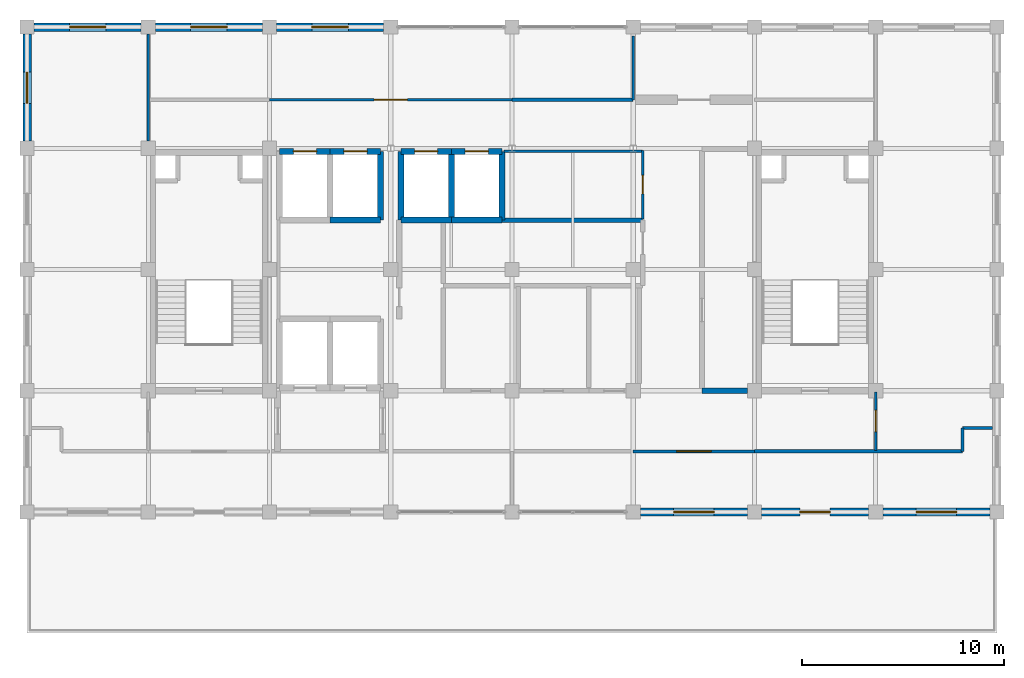
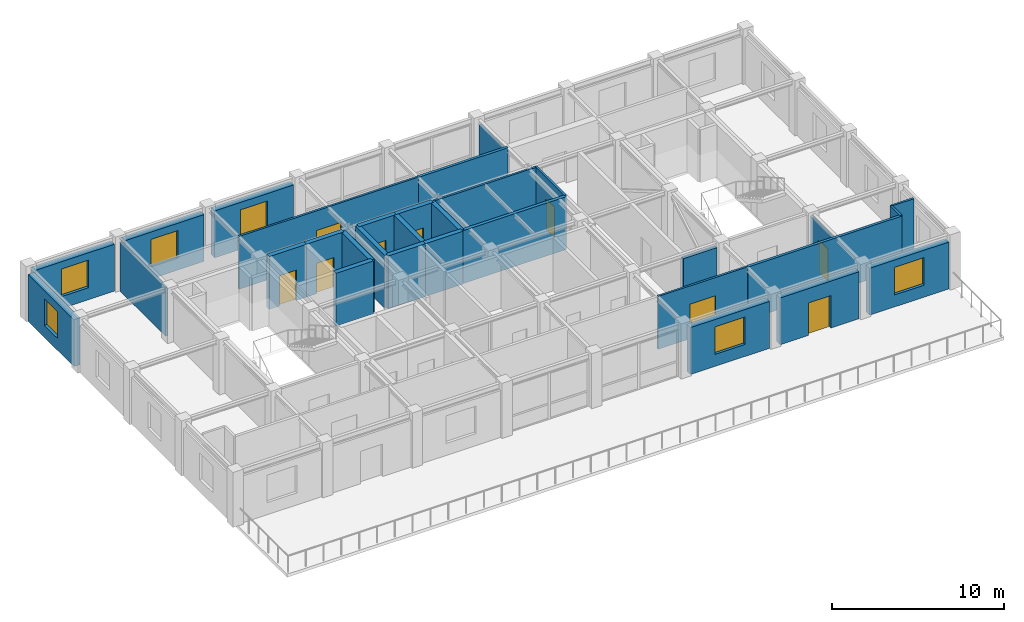
# One storey, part 9 of 11: 31 walls, 9 doors, 6 windows, 15 openings.
"""IFC4 building model written with IfcOpenShell, lengths in metres."""

from ifc_helpers import new_model, si_unit, direction, frame, frame_2d, origin, place, context, subcontext, project, spatial, rectangle, extrude, material, layer, layer_set, type_object, element, fill, save


model = new_model("IFC4")

# Units and contexts
model_context = context("Model", 3, precision=1e-05, world=origin(), true_north=direction((0.0, 1.0)))
body_context = subcontext(model_context, "Body", "Model", "MODEL_VIEW")
ifc_project = project(units=[si_unit("LENGTHUNIT", "METRE"), si_unit("AREAUNIT", "SQUARE_METRE"), si_unit("VOLUMEUNIT", "CUBIC_METRE"), si_unit("PLANEANGLEUNIT", "RADIAN"), si_unit("MASSUNIT", "GRAM", prefix="KILO")], contexts=[model_context])

# Site, building, storey
site_placement = place(None, origin())
site = spatial("IfcSite", under=ifc_project, at=site_placement, CompositionType="ELEMENT")
building_placement = place(site_placement, origin())
building = spatial("IfcBuilding", under=site, at=building_placement, Name="Zlatovratsky Civic Hall", CompositionType="ELEMENT")
storey_placement = place(building_placement, frame((0.0, 0.0, 52.199951171875)))
storey = spatial("IfcBuildingStorey", under=building, at=storey_placement, Name="L13", CompositionType="ELEMENT", Elevation=52.199951171875)

# Walls
ifc_material_1 = material(Name="Acoustic ceramic blockwork", Category="masonry")
ifc_layer_1 = layer(ifc_material_1, 0.179931640625)
ifc_layer_set_1 = layer_set([ifc_layer_1], Name="Acoustic ceramic blockwork")
wall_type_1 = type_object("IfcWallType", Name="Wall_AcousticChamberPartition_180", PredefinedType="PARTITIONING", material=ifc_layer_set_1)
wall_1_placement = place(storey_placement, frame((96.0, 81.0, 0.0), z_axis=(0.0, 0.0, 1.0), x_axis=(1.0, 0.0, 0.0)))
element("IfcWall", 1, at=wall_1_placement, inside=storey, type_object=wall_type_1, Name="WL-6636", PredefinedType="PARTITIONING", context=body_context, shape_type="SweptSolid", body=[
    extrude(rectangle(XDim=10.300048828125, YDim=0.179931640625, at=frame_2d((5.14990234375, 0.0))), origin(), (0.0, 0.0, 1.0), 3.739990234375),
])
wall_2_placement = place(storey_placement, frame((84.0, 98.39990234375, 0.0), z_axis=(0.0, 0.0, 1.0), x_axis=(1.0, 0.0, 0.0)))
element("IfcWall", 2, at=wall_2_placement, inside=storey, type_object=wall_type_1, Name="WL-6642", PredefinedType="PARTITIONING", context=body_context, shape_type="SweptSolid", body=[
    extrude(rectangle(XDim=6.0, YDim=0.179931640625, at=frame_2d((3.0, 0.0))), origin(), (0.0, 0.0, 1.0), 3.739990234375),
])
ifc_layer_2 = layer(ifc_material_1, 0.260009765625)
ifc_layer_set_2 = layer_set([ifc_layer_2], Name="Acoustic ceramic blockwork")
wall_type_2 = type_object("IfcWallType", Name="Wall_ArchiveCompartment_260", PredefinedType="PARTITIONING", material=ifc_layer_set_2)
wall_3_placement = place(storey_placement, frame((93.39990234375, 84.0, 0.0), z_axis=(0.0, 0.0, 1.0), x_axis=(1.0, 0.0, 0.0)))
element("IfcWall", 3, at=wall_3_placement, inside=storey, type_object=wall_type_2, Name="WL-6607", PredefinedType="PARTITIONING", context=body_context, shape_type="SweptSolid", body=[
    extrude(rectangle(XDim=2.25, YDim=0.260009765625, at=frame_2d((1.125, 0.0))), origin(), (0.0, 0.0, 1.0), 3.448974609375),
])

# Wall, opening, door
ifc_material_2 = material(Name="Fire-rated gypsum board framing", Category="gypsum")
ifc_layer_3 = layer(ifc_material_2, 0.139892578125)
ifc_layer_set_3 = layer_set([ifc_layer_3], Name="Fire-rated gypsum board framing")
wall_type_3 = type_object("IfcWallType", Name="Wall_OfficePartition_140", PredefinedType="PARTITIONING", material=ifc_layer_set_3)
wall_4_placement = place(storey_placement, frame((90.0, 81.0, 0.0), z_axis=(0.0, 0.0, 1.0), x_axis=(1.0, 0.0, 0.0)))
wall_4 = element("IfcWall", 4, at=wall_4_placement, inside=storey, type_object=wall_type_3, Name="WL-6619", PredefinedType="PARTITIONING", context=body_context, shape_type="SweptSolid", body=[
    extrude(rectangle(XDim=6.0, YDim=0.139892578125, at=frame_2d((3.0, 0.0))), origin(), (0.0, 0.0, 1.0), 3.739990234375),
])
opening_1_placement = place(wall_4_placement, frame((2.14990234375, 0.0, 0.0)))
opening_1 = element("IfcOpeningElement", 5, at=opening_1_placement, cuts=wall_4, Name="Opening D-26", PredefinedType="OPENING", context=body_context, shape_type="SweptSolid", body=[
    extrude(rectangle(XDim=1.699951171875, YDim=2.449951171875, at=frame_2d((0.85009765625, 1.22509765625))), frame((0.0, 0.0849609375, 0.0), z_axis=(0.0, -1.0, 0.0), x_axis=(1.0, 0.0, 0.0)), (0.0, 0.0, 1.0), 0.169677734375),
])
ifc_material_3 = material(Name="Solid oak joinery in steel frame", Category="steel")
door_type_1 = type_object("IfcDoorType", Name="Door_CommissionBoardroom_1700x2450", OperationType="DOUBLE_DOOR_SINGLE_SWING", PredefinedType="DOOR", material=ifc_material_3)
door_1_placement = place(opening_1_placement, origin())
door_1 = element("IfcDoor", 6, at=door_1_placement, inside=storey, type_object=door_type_1, Name="DR-5493", OperationType="DOUBLE_DOOR_SINGLE_SWING", OverallHeight=2.449951171875, OverallWidth=1.699951171875, PredefinedType="DOOR", context=body_context, shape_type="SweptSolid", body=[
    extrude(rectangle(XDim=1.699951171875, YDim=2.449951171875, at=frame_2d((0.85009765625, 1.22509765625))), frame((0.0, 0.02490234375, 0.0), z_axis=(0.0, -1.0, 0.0), x_axis=(1.0, 0.0, 0.0)), (0.0, 0.0, 1.0), 0.050048828125),
])
fill(opening_1, door_1)

wall_5_placement = place(storey_placement, frame((102.0, 81.050048828125, 0.0), z_axis=(0.0, 0.0, 1.0), x_axis=(0.0, 1.0, 0.0)))
wall_5 = element("IfcWall", 7, at=wall_5_placement, inside=storey, type_object=wall_type_3, Name="WL-6621", PredefinedType="PARTITIONING", context=body_context, shape_type="SweptSolid", body=[
    extrude(rectangle(XDim=2.89990234375, YDim=0.139892578125, at=frame_2d((1.449951171875, 0.0))), origin(), (0.0, 0.0, 1.0), 3.448974609375),
])
opening_2_placement = place(wall_5_placement, frame((0.925048828125, 0.0, 0.0)))
opening_2 = element("IfcOpeningElement", 8, at=opening_2_placement, cuts=wall_5, Name="Opening D-24", PredefinedType="OPENING", context=body_context, shape_type="SweptSolid", body=[
    extrude(rectangle(XDim=1.050048828125, YDim=2.25, at=frame_2d((0.52490234375, 1.125))), frame((0.0, 0.0849609375, 0.0), z_axis=(0.0, -1.0, 0.0), x_axis=(1.0, 0.0, 0.0)), (0.0, 0.0, 1.0), 0.169677734375),
])
door_type_2 = type_object("IfcDoorType", Name="Door_DirectorateOffice_1050x2250", OperationType="NOTDEFINED", PredefinedType="DOOR", material=ifc_material_3)
door_2_placement = place(opening_2_placement, origin())
door_2 = element("IfcDoor", 9, at=door_2_placement, inside=storey, type_object=door_type_2, Name="DR-5495", OperationType="SINGLE_SWING_RIGHT", OverallHeight=2.25, OverallWidth=1.050048828125, PredefinedType="DOOR", context=body_context, shape_type="SweptSolid", body=[
    extrude(rectangle(XDim=1.050048828125, YDim=2.25, at=frame_2d((0.52490234375, 1.125))), frame((0.0, 0.02490234375, 0.0), z_axis=(0.0, -1.0, 0.0), x_axis=(1.0, 0.0, 0.0)), (0.0, 0.0, 1.0), 0.050048828125),
])
fill(opening_2, door_2)

wall_6_placement = place(storey_placement, frame((72.0, 98.39990234375, 0.0), z_axis=(0.0, 0.0, 1.0), x_axis=(1.0, 0.0, 0.0)))
wall_6 = element("IfcWall", 10, at=wall_6_placement, inside=storey, type_object=wall_type_3, Name="WL-6622", PredefinedType="PARTITIONING", context=body_context, shape_type="SweptSolid", body=[
    extrude(rectangle(XDim=12.0, YDim=0.139892578125, at=frame_2d((6.0, 0.0))), origin(), (0.0, 0.0, 1.0), 3.739990234375),
])
opening_3_placement = place(wall_6_placement, frame((5.175048828125, 0.0, 0.0)))
opening_3 = element("IfcOpeningElement", 11, at=opening_3_placement, cuts=wall_6, Name="Opening D-25", PredefinedType="OPENING", context=body_context, shape_type="SweptSolid", body=[
    extrude(rectangle(XDim=1.64990234375, YDim=2.35009765625, at=frame_2d((0.824951171875, 1.175048828125))), frame((0.0, 0.0849609375, 0.0), z_axis=(0.0, -1.0, 0.0), x_axis=(1.0, 0.0, 0.0)), (0.0, 0.0, 1.0), 0.169677734375),
])
door_type_3 = type_object("IfcDoorType", Name="Door_OpenStudioDouble_1650x2350", OperationType="DOUBLE_DOOR_SINGLE_SWING", PredefinedType="DOOR", material=ifc_material_3)
door_3_placement = place(opening_3_placement, origin())
door_3 = element("IfcDoor", 12, at=door_3_placement, inside=storey, type_object=door_type_3, Name="DR-5496", OperationType="DOUBLE_DOOR_SINGLE_SWING", OverallHeight=2.35009765625, OverallWidth=1.64990234375, PredefinedType="DOOR", context=body_context, shape_type="SweptSolid", body=[
    extrude(rectangle(XDim=1.64990234375, YDim=2.35009765625, at=frame_2d((0.824951171875, 1.175048828125))), frame((0.0, 0.02490234375, 0.0), z_axis=(0.0, -1.0, 0.0), x_axis=(1.0, 0.0, 0.0)), (0.0, 0.0, 1.0), 0.050048828125),
])
fill(opening_3, door_3)

wall_7_placement = place(storey_placement, frame((90.469970703125, 92.5, 0.0), z_axis=(0.0, 0.0, 1.0), x_axis=(0.0, 1.0, 0.0)))
wall_7 = element("IfcWall", 13, at=wall_7_placement, inside=storey, type_object=wall_type_3, Name="WL-6625", PredefinedType="PARTITIONING", context=body_context, shape_type="SweptSolid", body=[
    extrude(rectangle(XDim=3.39990234375, YDim=0.139892578125, at=frame_2d((1.699951171875, 0.0))), origin(), (0.0, 0.0, 1.0), 3.739990234375),
])
opening_4_placement = place(wall_7_placement, frame((1.239990234375, 0.0, 0.0)))
opening_4 = element("IfcOpeningElement", 14, at=opening_4_placement, cuts=wall_7, Name="Opening D-23", PredefinedType="OPENING", context=body_context, shape_type="SweptSolid", body=[
    extrude(rectangle(XDim=0.919921875, YDim=2.14990234375, at=frame_2d((0.4599609375, 1.074951171875))), frame((0.0, 0.0849609375, 0.0), z_axis=(0.0, -1.0, 0.0), x_axis=(1.0, 0.0, 0.0)), (0.0, 0.0, 1.0), 0.169677734375),
])
door_type_4 = type_object("IfcDoorType", Name="Door_OfficeStandard_920x2150", OperationType="NOTDEFINED", PredefinedType="DOOR", material=ifc_material_3)
door_4_placement = place(opening_4_placement, origin())
door_4 = element("IfcDoor", 15, at=door_4_placement, inside=storey, type_object=door_type_4, Name="DR-5499", OperationType="SINGLE_SWING_LEFT", OverallHeight=2.14990234375, OverallWidth=0.919921875, PredefinedType="DOOR", context=body_context, shape_type="SweptSolid", body=[
    extrude(rectangle(XDim=0.919921875, YDim=2.14990234375, at=frame_2d((0.4599609375, 1.074951171875))), frame((0.0, 0.02490234375, 0.0), z_axis=(0.0, -1.0, 0.0), x_axis=(1.0, 0.0, 0.0)), (0.0, 0.0, 1.0), 0.050048828125),
])
fill(opening_4, door_4)

# Walls
wall_8_placement = place(storey_placement, frame((90.0, 98.39990234375, 0.0), z_axis=(0.0, 0.0, 1.0), x_axis=(0.0, 1.0, 0.0)))
element("IfcWall", 16, at=wall_8_placement, inside=storey, type_object=wall_type_3, Name="WL-6627", PredefinedType="PARTITIONING", context=body_context, shape_type="SweptSolid", body=[
    extrude(rectangle(XDim=3.150146484375, YDim=0.139892578125, at=frame_2d((1.5751953125, 0.0))), origin(), (0.0, 0.0, 1.0), 3.448974609375),
])
wall_9_placement = place(storey_placement, frame((83.60009765625, 95.85009765625, 0.0), z_axis=(0.0, 0.0, 1.0), x_axis=(1.0, 0.0, 0.0)))
element("IfcWall", 17, at=wall_9_placement, inside=storey, type_object=wall_type_3, Name="WL-6629", PredefinedType="PARTITIONING", context=body_context, shape_type="SweptSolid", body=[
    extrude(rectangle(XDim=6.869873046875, YDim=0.139892578125, at=frame_2d((3.43505859375, 0.0))), origin(), (0.0, 0.0, 1.0), 3.739990234375),
])
wall_10_placement = place(storey_placement, frame((106.300048828125, 81.0, 0.0), z_axis=(0.0, 0.0, 1.0), x_axis=(0.0, 1.0, 0.0)))
element("IfcWall", 18, at=wall_10_placement, inside=storey, type_object=wall_type_3, Name="WL-6639", PredefinedType="PARTITIONING", context=body_context, shape_type="SweptSolid", body=[
    extrude(rectangle(XDim=1.14990234375, YDim=0.139892578125, at=frame_2d((0.574951171875, 0.0))), origin(), (0.0, 0.0, 1.0), 3.739990234375),
])
wall_11_placement = place(storey_placement, frame((106.300048828125, 82.14990234375, 0.0), z_axis=(0.0, 0.0, 1.0), x_axis=(1.0, 0.0, 0.0)))
element("IfcWall", 19, at=wall_11_placement, inside=storey, type_object=wall_type_3, Name="WL-6640", PredefinedType="PARTITIONING", context=body_context, shape_type="SweptSolid", body=[
    extrude(rectangle(XDim=1.489990234375, YDim=0.139892578125, at=frame_2d((0.7451171875, 0.0))), origin(), (0.0, 0.0, 1.0), 3.739990234375),
])
wall_12_placement = place(storey_placement, frame((66.0, 96.35009765625, 0.0), z_axis=(0.0, 0.0, 1.0), x_axis=(0.0, 1.0, 0.0)))
element("IfcWall", 20, at=wall_12_placement, inside=storey, type_object=wall_type_3, Name="WL-6644", PredefinedType="PARTITIONING", context=body_context, shape_type="SweptSolid", body=[
    extrude(rectangle(XDim=5.2998046875, YDim=0.139892578125, at=frame_2d((2.64990234375, 0.0))), origin(), (0.0, 0.0, 1.0), 3.448974609375),
])
ifc_layer_4 = layer(ifc_material_1, 0.219970703125)
ifc_layer_set_4 = layer_set([ifc_layer_4], Name="Acoustic ceramic blockwork")
wall_type_4 = type_object("IfcWallType", Name="Wall_SanitaryWetCore_220", PredefinedType="PARTITIONING", material=ifc_layer_set_4)
wall_13_placement = place(storey_placement, frame((83.5, 92.449951171875, 0.0), z_axis=(0.0, 0.0, 1.0), x_axis=(1.0, 0.0, 0.0)))
element("IfcWall", 21, at=wall_13_placement, inside=storey, type_object=wall_type_4, Name="WL-6633", PredefinedType="PARTITIONING", context=body_context, shape_type="SweptSolid", body=[
    extrude(rectangle(XDim=6.969970703125, YDim=0.219970703125, at=frame_2d((3.48486328125, 0.0))), origin(), (0.0, 0.0, 1.0), 3.739990234375),
])

# Wall, opening, door
ifc_material_4 = material(Name="Concrete C35/45 (B40)", Category="concrete")
ifc_layer_5 = layer(ifc_material_4, 0.300048828125)
ifc_layer_set_5 = layer_set([ifc_layer_5], Name="Concrete C35/45 (B40)")
wall_type_5 = type_object("IfcWallType", Name="Wall_StairAndLiftShaft_300", PredefinedType="SHEAR", material=ifc_layer_set_5)
wall_14_placement = place(storey_placement, frame((72.5, 95.85009765625, 0.0), z_axis=(0.0, 0.0, 1.0), x_axis=(1.0, 0.0, 0.0)))
wall_14 = element("IfcWall", 22, at=wall_14_placement, inside=storey, type_object=wall_type_5, Name="WL-5665", PredefinedType="SHEAR", context=body_context, shape_type="SweptSolid", body=[
    extrude(rectangle(XDim=2.5, YDim=0.300048828125, at=frame_2d((1.25, 0.0))), origin(), (0.0, 0.0, 1.0), 3.739990234375),
])
opening_5_placement = place(wall_14_placement, frame((0.675048828125, 0.0, 0.0)))
opening_5 = element("IfcOpeningElement", 23, at=opening_5_placement, cuts=wall_14, Name="Opening LD-02", PredefinedType="OPENING", context=body_context, shape_type="SweptSolid", body=[
    extrude(rectangle(XDim=1.14990234375, YDim=2.14990234375, at=frame_2d((0.574951171875, 1.074951171875))), frame((0.0, 0.1650390625, 0.0), z_axis=(0.0, -1.0, 0.0), x_axis=(1.0, 0.0, 0.0)), (0.0, 0.0, 1.0), 0.329833984375),
])
ifc_material_5 = material(Name="Brushed stainless steel AISI 304", Category="steel")
door_type_5 = type_object("IfcDoorType", Name="Door_LiftLandingHighRise_1150x2150", OperationType="DOUBLE_DOOR_SLIDING", PredefinedType="DOOR", material=ifc_material_5)
door_5_placement = place(opening_5_placement, origin())
door_5 = element("IfcDoor", 24, at=door_5_placement, inside=storey, type_object=door_type_5, Name="Lift landing door LD-5110", OperationType="DOUBLE_DOOR_SLIDING", OverallHeight=2.14990234375, OverallWidth=1.14990234375, PredefinedType="DOOR", context=body_context, shape_type="SweptSolid", body=[
    extrude(rectangle(XDim=1.14990234375, YDim=2.14990234375, at=frame_2d((0.574951171875, 1.074951171875))), frame((0.0, 0.02490234375, 0.0), z_axis=(0.0, -1.0, 0.0), x_axis=(1.0, 0.0, 0.0)), (0.0, 0.0, 1.0), 0.050048828125),
])
fill(opening_5, door_5)

wall_15_placement = place(storey_placement, frame((75.0, 95.85009765625, 0.0), z_axis=(0.0, 0.0, 1.0), x_axis=(1.0, 0.0, 0.0)))
wall_15 = element("IfcWall", 25, at=wall_15_placement, inside=storey, type_object=wall_type_5, Name="WL-5735", PredefinedType="SHEAR", context=body_context, shape_type="SweptSolid", body=[
    extrude(rectangle(XDim=2.5, YDim=0.300048828125, at=frame_2d((1.25, 0.0))), origin(), (0.0, 0.0, 1.0), 3.739990234375),
])
opening_6_placement = place(wall_15_placement, frame((0.675048828125, 0.0, 0.0)))
opening_6 = element("IfcOpeningElement", 26, at=opening_6_placement, cuts=wall_15, Name="Opening LD-02", PredefinedType="OPENING", context=body_context, shape_type="SweptSolid", body=[
    extrude(rectangle(XDim=1.14990234375, YDim=2.14990234375, at=frame_2d((0.574951171875, 1.074951171875))), frame((0.0, 0.1650390625, 0.0), z_axis=(0.0, -1.0, 0.0), x_axis=(1.0, 0.0, 0.0)), (0.0, 0.0, 1.0), 0.329833984375),
])
door_6_placement = place(opening_6_placement, origin())
door_6 = element("IfcDoor", 27, at=door_6_placement, inside=storey, type_object=door_type_5, Name="Lift landing door LD-5129", OperationType="DOUBLE_DOOR_SLIDING", OverallHeight=2.14990234375, OverallWidth=1.14990234375, PredefinedType="DOOR", context=body_context, shape_type="SweptSolid", body=[
    extrude(rectangle(XDim=1.14990234375, YDim=2.14990234375, at=frame_2d((0.574951171875, 1.074951171875))), frame((0.0, 0.02490234375, 0.0), z_axis=(0.0, -1.0, 0.0), x_axis=(1.0, 0.0, 0.0)), (0.0, 0.0, 1.0), 0.050048828125),
])
fill(opening_6, door_6)

# Walls
wall_16_placement = place(storey_placement, frame((75.0, 92.449951171875, 0.0), z_axis=(0.0, 0.0, 1.0), x_axis=(1.0, 0.0, 0.0)))
element("IfcWall", 28, at=wall_16_placement, inside=storey, type_object=wall_type_5, Name="WL-5736", PredefinedType="SHEAR", context=body_context, shape_type="SweptSolid", body=[
    extrude(rectangle(XDim=2.5, YDim=0.300048828125, at=frame_2d((1.25, 0.0))), origin(), (0.0, 0.0, 1.0), 3.739990234375),
])
wall_17_placement = place(storey_placement, frame((77.5, 92.449951171875, 0.0), z_axis=(0.0, 0.0, 1.0), x_axis=(0.0, 1.0, 0.0)))
element("IfcWall", 29, at=wall_17_placement, inside=storey, type_object=wall_type_5, Name="WL-5738", PredefinedType="SHEAR", context=body_context, shape_type="SweptSolid", body=[
    extrude(rectangle(XDim=3.400146484375, YDim=0.300048828125, at=frame_2d((1.7001953125, 0.0))), origin(), (0.0, 0.0, 1.0), 3.739990234375),
])

# Wall, opening, door
wall_18_placement = place(storey_placement, frame((78.5, 95.85009765625, 0.0), z_axis=(0.0, 0.0, 1.0), x_axis=(1.0, 0.0, 0.0)))
wall_18 = element("IfcWall", 30, at=wall_18_placement, inside=storey, type_object=wall_type_5, Name="WL-5798", PredefinedType="SHEAR", context=body_context, shape_type="SweptSolid", body=[
    extrude(rectangle(XDim=2.5, YDim=0.300048828125, at=frame_2d((1.25, 0.0))), origin(), (0.0, 0.0, 1.0), 3.739990234375),
])
opening_7_placement = place(wall_18_placement, frame((0.675048828125, 0.0, 0.0)))
opening_7 = element("IfcOpeningElement", 31, at=opening_7_placement, cuts=wall_18, Name="Opening LD-02", PredefinedType="OPENING", context=body_context, shape_type="SweptSolid", body=[
    extrude(rectangle(XDim=1.14990234375, YDim=2.14990234375, at=frame_2d((0.574951171875, 1.074951171875))), frame((0.0, 0.1650390625, 0.0), z_axis=(0.0, -1.0, 0.0), x_axis=(1.0, 0.0, 0.0)), (0.0, 0.0, 1.0), 0.329833984375),
])
door_7_placement = place(opening_7_placement, origin())
door_7 = element("IfcDoor", 32, at=door_7_placement, inside=storey, type_object=door_type_5, Name="Lift landing door LD-5148", OperationType="DOUBLE_DOOR_SLIDING", OverallHeight=2.14990234375, OverallWidth=1.14990234375, PredefinedType="DOOR", context=body_context, shape_type="SweptSolid", body=[
    extrude(rectangle(XDim=1.14990234375, YDim=2.14990234375, at=frame_2d((0.574951171875, 1.074951171875))), frame((0.0, 0.02490234375, 0.0), z_axis=(0.0, -1.0, 0.0), x_axis=(1.0, 0.0, 0.0)), (0.0, 0.0, 1.0), 0.050048828125),
])
fill(opening_7, door_7)

# Walls
wall_19_placement = place(storey_placement, frame((78.5, 92.449951171875, 0.0), z_axis=(0.0, 0.0, 1.0), x_axis=(1.0, 0.0, 0.0)))
element("IfcWall", 33, at=wall_19_placement, inside=storey, type_object=wall_type_5, Name="WL-5799", PredefinedType="SHEAR", context=body_context, shape_type="SweptSolid", body=[
    extrude(rectangle(XDim=2.5, YDim=0.300048828125, at=frame_2d((1.25, 0.0))), origin(), (0.0, 0.0, 1.0), 3.739990234375),
])
wall_20_placement = place(storey_placement, frame((78.5, 92.449951171875, 0.0), z_axis=(0.0, 0.0, 1.0), x_axis=(0.0, 1.0, 0.0)))
element("IfcWall", 34, at=wall_20_placement, inside=storey, type_object=wall_type_5, Name="WL-5800", PredefinedType="SHEAR", context=body_context, shape_type="SweptSolid", body=[
    extrude(rectangle(XDim=3.400146484375, YDim=0.300048828125, at=frame_2d((1.7001953125, 0.0))), origin(), (0.0, 0.0, 1.0), 3.739990234375),
])

# Wall, opening, door
wall_21_placement = place(storey_placement, frame((81.0, 95.85009765625, 0.0), z_axis=(0.0, 0.0, 1.0), x_axis=(1.0, 0.0, 0.0)))
wall_21 = element("IfcWall", 35, at=wall_21_placement, inside=storey, type_object=wall_type_5, Name="WL-5868", PredefinedType="SHEAR", context=body_context, shape_type="SweptSolid", body=[
    extrude(rectangle(XDim=2.5, YDim=0.300048828125, at=frame_2d((1.25, 0.0))), origin(), (0.0, 0.0, 1.0), 3.739990234375),
])
opening_8_placement = place(wall_21_placement, frame((0.675048828125, 0.0, 0.0)))
opening_8 = element("IfcOpeningElement", 36, at=opening_8_placement, cuts=wall_21, Name="Opening LD-02", PredefinedType="OPENING", context=body_context, shape_type="SweptSolid", body=[
    extrude(rectangle(XDim=1.14990234375, YDim=2.14990234375, at=frame_2d((0.574951171875, 1.074951171875))), frame((0.0, 0.1650390625, 0.0), z_axis=(0.0, -1.0, 0.0), x_axis=(1.0, 0.0, 0.0)), (0.0, 0.0, 1.0), 0.329833984375),
])
door_8_placement = place(opening_8_placement, origin())
door_8 = element("IfcDoor", 37, at=door_8_placement, inside=storey, type_object=door_type_5, Name="Lift landing door LD-5167", OperationType="DOUBLE_DOOR_SLIDING", OverallHeight=2.14990234375, OverallWidth=1.14990234375, PredefinedType="DOOR", context=body_context, shape_type="SweptSolid", body=[
    extrude(rectangle(XDim=1.14990234375, YDim=2.14990234375, at=frame_2d((0.574951171875, 1.074951171875))), frame((0.0, 0.02490234375, 0.0), z_axis=(0.0, -1.0, 0.0), x_axis=(1.0, 0.0, 0.0)), (0.0, 0.0, 1.0), 0.050048828125),
])
fill(opening_8, door_8)

# Walls
wall_22_placement = place(storey_placement, frame((81.0, 92.449951171875, 0.0), z_axis=(0.0, 0.0, 1.0), x_axis=(1.0, 0.0, 0.0)))
element("IfcWall", 38, at=wall_22_placement, inside=storey, type_object=wall_type_5, Name="WL-5869", PredefinedType="SHEAR", context=body_context, shape_type="SweptSolid", body=[
    extrude(rectangle(XDim=2.5, YDim=0.300048828125, at=frame_2d((1.25, 0.0))), origin(), (0.0, 0.0, 1.0), 3.739990234375),
])
for number, where, z_axis, x_axis, name in (
    (39, (81.0, 92.449951171875, 0.0), (0.0, 0.0, 1.0), (0.0, 1.0, 0.0), "WL-5870"),
    (40, (83.5, 92.449951171875, 0.0), (0.0, 0.0, 1.0), (0.0, 1.0, 0.0), "WL-5871"),
):
    element("IfcWall", number, at=place(storey_placement, frame(where, z_axis=z_axis, x_axis=x_axis)), inside=storey, type_object=wall_type_5, Name=name, PredefinedType="SHEAR", context=body_context, shape_type="SweptSolid", body=[
        extrude(rectangle(XDim=3.400146484375, YDim=0.300048828125, at=frame_2d((1.7001953125, 0.0))), origin(), (0.0, 0.0, 1.0), 3.739990234375),
    ])

# Wall, opening, window
ifc_layer_6 = layer(ifc_material_1, 0.280029296875, Name="Backing")
ifc_material_6 = material(Name="Podolsk limestone ashlar", Category="masonry")
ifc_layer_7 = layer(ifc_material_6, 0.139892578125, Name="Finish")
ifc_layer_set_6 = layer_set([ifc_layer_6, ifc_layer_7], Name="Acoustic ceramic blockwork")
wall_type_6 = type_object("IfcWallType", Name="Wall_TowerLimestoneAshlar_420", PredefinedType="SOLIDWALL", material=ifc_layer_set_6)
wall_23_placement = place(storey_placement, frame((90.35009765625, 78.0, 0.0), z_axis=(0.0, 0.0, 1.0), x_axis=(1.0, 0.0, 0.0)))
wall_23 = element("IfcWall", 41, at=wall_23_placement, inside=storey, type_object=wall_type_6, Name="WL-0592", PredefinedType="SOLIDWALL", context=body_context, shape_type="SweptSolid", body=[
    extrude(rectangle(XDim=5.2998046875, YDim=0.419921875, at=frame_2d((2.64990234375, 0.0))), origin(), (0.0, 0.0, 1.0), 3.320068359375),
])
opening_9_placement = place(wall_23_placement, frame((1.64990234375, 0.0, 0.85009765625)))
opening_9 = element("IfcOpeningElement", 42, at=opening_9_placement, cuts=wall_23, Name="Opening WN-20", PredefinedType="OPENING", context=body_context, shape_type="SweptSolid", body=[
    extrude(rectangle(XDim=2.0, YDim=1.949951171875, at=frame_2d((1.0, 0.97509765625))), frame((0.0, 0.224853515625, 0.0), z_axis=(0.0, -1.0, 0.0), x_axis=(1.0, 0.0, 0.0)), (0.0, 0.0, 1.0), 0.44970703125),
])
ifc_material_7 = material(Name="Low-E laminated double glazing", Category="glass")
window_type_1 = type_object("IfcWindowType", Name="Window_TowerTier3South_2000x1950", PartitioningType="SINGLE_PANEL", PredefinedType="WINDOW", material=ifc_material_7)
window_1_placement = place(opening_9_placement, origin())
window_1 = element("IfcWindow", 43, at=window_1_placement, inside=storey, type_object=window_type_1, Name="WN-0465", OverallHeight=1.949951171875, OverallWidth=2.0, PartitioningType="SINGLE_PANEL", PredefinedType="WINDOW", context=body_context, shape_type="SweptSolid", body=[
    extrude(rectangle(XDim=2.0, YDim=1.949951171875, at=frame_2d((1.0, 0.97509765625))), frame((0.0, 0.030029296875, 0.0), z_axis=(0.0, -1.0, 0.0), x_axis=(1.0, 0.0, 0.0)), (0.0, 0.0, 1.0), 0.06005859375),
])
fill(opening_9, window_1)

# Wall, opening, door
wall_24_placement = place(storey_placement, frame((96.35009765625, 78.0, 0.0), z_axis=(0.0, 0.0, 1.0), x_axis=(1.0, 0.0, 0.0)))
wall_24 = element("IfcWall", 44, at=wall_24_placement, inside=storey, type_object=wall_type_6, Name="WL-0593", PredefinedType="SOLIDWALL", context=body_context, shape_type="SweptSolid", body=[
    extrude(rectangle(XDim=5.2998046875, YDim=0.419921875, at=frame_2d((2.64990234375, 0.0))), origin(), (0.0, 0.0, 1.0), 3.320068359375),
])
opening_10_placement = place(wall_24_placement, frame((1.89990234375, 0.0, 0.0)))
opening_10 = element("IfcOpeningElement", 45, at=opening_10_placement, cuts=wall_24, Name="Opening D-08", PredefinedType="OPENING", context=body_context, shape_type="SweptSolid", body=[
    extrude(rectangle(XDim=1.5, YDim=2.300048828125, at=frame_2d((0.75, 1.14990234375))), frame((0.0, 0.224853515625, 0.0), z_axis=(0.0, -1.0, 0.0), x_axis=(1.0, 0.0, 0.0)), (0.0, 0.0, 1.0), 0.44970703125),
])
ifc_material_8 = material(Name="Monumental cast bronze glazed portal", Category="aluminium")
door_type_6 = type_object("IfcDoorType", Name="Door_SetbackTerrace_1500x2300", OperationType="DOUBLE_DOOR_SINGLE_SWING", PredefinedType="DOOR", material=ifc_material_8)
door_9_placement = place(opening_10_placement, origin())
door_9 = element("IfcDoor", 46, at=door_9_placement, inside=storey, type_object=door_type_6, Name="DR-0027", OperationType="DOUBLE_DOOR_SINGLE_SWING", OverallHeight=2.300048828125, OverallWidth=1.5, PredefinedType="DOOR", context=body_context, shape_type="SweptSolid", body=[
    extrude(rectangle(XDim=1.5, YDim=2.300048828125, at=frame_2d((0.75, 1.14990234375))), frame((0.0, 0.02490234375, 0.0), z_axis=(0.0, -1.0, 0.0), x_axis=(1.0, 0.0, 0.0)), (0.0, 0.0, 1.0), 0.050048828125),
])
fill(opening_10, door_9)

# Wall, opening, window
wall_25_placement = place(storey_placement, frame((102.35009765625, 78.0, 0.0), z_axis=(0.0, 0.0, 1.0), x_axis=(1.0, 0.0, 0.0)))
wall_25 = element("IfcWall", 47, at=wall_25_placement, inside=storey, type_object=wall_type_6, Name="WL-0594", PredefinedType="SOLIDWALL", context=body_context, shape_type="SweptSolid", body=[
    extrude(rectangle(XDim=5.2998046875, YDim=0.419921875, at=frame_2d((2.64990234375, 0.0))), origin(), (0.0, 0.0, 1.0), 3.320068359375),
])
opening_11_placement = place(wall_25_placement, frame((1.64990234375, 0.0, 0.85009765625)))
opening_11 = element("IfcOpeningElement", 48, at=opening_11_placement, cuts=wall_25, Name="Opening WN-20", PredefinedType="OPENING", context=body_context, shape_type="SweptSolid", body=[
    extrude(rectangle(XDim=2.0, YDim=1.949951171875, at=frame_2d((1.0, 0.97509765625))), frame((0.0, 0.224853515625, 0.0), z_axis=(0.0, -1.0, 0.0), x_axis=(1.0, 0.0, 0.0)), (0.0, 0.0, 1.0), 0.44970703125),
])
window_2_placement = place(opening_11_placement, origin())
window_2 = element("IfcWindow", 49, at=window_2_placement, inside=storey, type_object=window_type_1, Name="WN-0466", OverallHeight=1.949951171875, OverallWidth=2.0, PartitioningType="SINGLE_PANEL", PredefinedType="WINDOW", context=body_context, shape_type="SweptSolid", body=[
    extrude(rectangle(XDim=2.0, YDim=1.949951171875, at=frame_2d((1.0, 0.97509765625))), frame((0.0, 0.030029296875, 0.0), z_axis=(0.0, -1.0, 0.0), x_axis=(1.0, 0.0, 0.0)), (0.0, 0.0, 1.0), 0.06005859375),
])
fill(opening_11, window_2)

wall_26_placement = place(storey_placement, frame((60.35009765625, 102.0, 0.0), z_axis=(0.0, 0.0, 1.0), x_axis=(1.0, 0.0, 0.0)))
wall_26 = element("IfcWall", 50, at=wall_26_placement, inside=storey, type_object=wall_type_6, Name="WL-0595", PredefinedType="SOLIDWALL", context=body_context, shape_type="SweptSolid", body=[
    extrude(rectangle(XDim=5.2998046875, YDim=0.419921875, at=frame_2d((2.64990234375, 0.0))), origin(), (0.0, 0.0, 1.0), 3.320068359375),
])
opening_12_placement = place(wall_26_placement, frame((1.75, 0.0, 0.85009765625)))
opening_12 = element("IfcOpeningElement", 51, at=opening_12_placement, cuts=wall_26, Name="Opening WN-21", PredefinedType="OPENING", context=body_context, shape_type="SweptSolid", body=[
    extrude(rectangle(XDim=1.800048828125, YDim=1.949951171875, at=frame_2d((0.89990234375, 0.97509765625))), frame((0.0, 0.224853515625, 0.0), z_axis=(0.0, -1.0, 0.0), x_axis=(1.0, 0.0, 0.0)), (0.0, 0.0, 1.0), 0.44970703125),
])
window_type_2 = type_object("IfcWindowType", Name="Window_TowerTier3North_1800x1950", PartitioningType="SINGLE_PANEL", PredefinedType="WINDOW", material=ifc_material_7)
window_3_placement = place(opening_12_placement, origin())
window_3 = element("IfcWindow", 52, at=window_3_placement, inside=storey, type_object=window_type_2, Name="WN-0467", OverallHeight=1.949951171875, OverallWidth=1.800048828125, PartitioningType="SINGLE_PANEL", PredefinedType="WINDOW", context=body_context, shape_type="SweptSolid", body=[
    extrude(rectangle(XDim=1.800048828125, YDim=1.949951171875, at=frame_2d((0.89990234375, 0.97509765625))), frame((0.0, 0.030029296875, 0.0), z_axis=(0.0, -1.0, 0.0), x_axis=(1.0, 0.0, 0.0)), (0.0, 0.0, 1.0), 0.06005859375),
])
fill(opening_12, window_3)

wall_27_placement = place(storey_placement, frame((66.35009765625, 102.0, 0.0), z_axis=(0.0, 0.0, 1.0), x_axis=(1.0, 0.0, 0.0)))
wall_27 = element("IfcWall", 53, at=wall_27_placement, inside=storey, type_object=wall_type_6, Name="WL-0596", PredefinedType="SOLIDWALL", context=body_context, shape_type="SweptSolid", body=[
    extrude(rectangle(XDim=5.2998046875, YDim=0.419921875, at=frame_2d((2.64990234375, 0.0))), origin(), (0.0, 0.0, 1.0), 3.320068359375),
])
opening_13_placement = place(wall_27_placement, frame((1.75, 0.0, 0.85009765625)))
opening_13 = element("IfcOpeningElement", 54, at=opening_13_placement, cuts=wall_27, Name="Opening WN-21", PredefinedType="OPENING", context=body_context, shape_type="SweptSolid", body=[
    extrude(rectangle(XDim=1.800048828125, YDim=1.949951171875, at=frame_2d((0.89990234375, 0.97509765625))), frame((0.0, 0.224853515625, 0.0), z_axis=(0.0, -1.0, 0.0), x_axis=(1.0, 0.0, 0.0)), (0.0, 0.0, 1.0), 0.44970703125),
])
window_4_placement = place(opening_13_placement, origin())
window_4 = element("IfcWindow", 55, at=window_4_placement, inside=storey, type_object=window_type_2, Name="WN-0468", OverallHeight=1.949951171875, OverallWidth=1.800048828125, PartitioningType="SINGLE_PANEL", PredefinedType="WINDOW", context=body_context, shape_type="SweptSolid", body=[
    extrude(rectangle(XDim=1.800048828125, YDim=1.949951171875, at=frame_2d((0.89990234375, 0.97509765625))), frame((0.0, 0.030029296875, 0.0), z_axis=(0.0, -1.0, 0.0), x_axis=(1.0, 0.0, 0.0)), (0.0, 0.0, 1.0), 0.06005859375),
])
fill(opening_13, window_4)

wall_28_placement = place(storey_placement, frame((72.35009765625, 102.0, 0.0), z_axis=(0.0, 0.0, 1.0), x_axis=(1.0, 0.0, 0.0)))
wall_28 = element("IfcWall", 56, at=wall_28_placement, inside=storey, type_object=wall_type_6, Name="WL-0597", PredefinedType="SOLIDWALL", context=body_context, shape_type="SweptSolid", body=[
    extrude(rectangle(XDim=5.2998046875, YDim=0.419921875, at=frame_2d((2.64990234375, 0.0))), origin(), (0.0, 0.0, 1.0), 3.320068359375),
])
opening_14_placement = place(wall_28_placement, frame((1.75, 0.0, 0.85009765625)))
opening_14 = element("IfcOpeningElement", 57, at=opening_14_placement, cuts=wall_28, Name="Opening WN-21", PredefinedType="OPENING", context=body_context, shape_type="SweptSolid", body=[
    extrude(rectangle(XDim=1.800048828125, YDim=1.949951171875, at=frame_2d((0.89990234375, 0.97509765625))), frame((0.0, 0.224853515625, 0.0), z_axis=(0.0, -1.0, 0.0), x_axis=(1.0, 0.0, 0.0)), (0.0, 0.0, 1.0), 0.44970703125),
])
window_5_placement = place(opening_14_placement, origin())
window_5 = element("IfcWindow", 58, at=window_5_placement, inside=storey, type_object=window_type_2, Name="WN-0469", OverallHeight=1.949951171875, OverallWidth=1.800048828125, PartitioningType="SINGLE_PANEL", PredefinedType="WINDOW", context=body_context, shape_type="SweptSolid", body=[
    extrude(rectangle(XDim=1.800048828125, YDim=1.949951171875, at=frame_2d((0.89990234375, 0.97509765625))), frame((0.0, 0.030029296875, 0.0), z_axis=(0.0, -1.0, 0.0), x_axis=(1.0, 0.0, 0.0)), (0.0, 0.0, 1.0), 0.06005859375),
])
fill(opening_14, window_5)

wall_29_placement = place(storey_placement, frame((60.0, 96.35009765625, 0.0), z_axis=(0.0, 0.0, 1.0), x_axis=(0.0, 1.0, 0.0)))
wall_29 = element("IfcWall", 59, at=wall_29_placement, inside=storey, type_object=wall_type_6, Name="WL-0604", PredefinedType="SOLIDWALL", context=body_context, shape_type="SweptSolid", body=[
    extrude(rectangle(XDim=5.2998046875, YDim=0.419921875, at=frame_2d((2.64990234375, 0.0))), origin(), (0.0, 0.0, 1.0), 3.320068359375),
])
opening_15_placement = place(wall_29_placement, frame((1.875, 0.0, 0.85009765625)))
opening_15 = element("IfcOpeningElement", 60, at=opening_15_placement, cuts=wall_29, Name="Opening WN-22", PredefinedType="OPENING", context=body_context, shape_type="SweptSolid", body=[
    extrude(rectangle(XDim=1.550048828125, YDim=1.89990234375, at=frame_2d((0.77490234375, 0.949951171875))), frame((0.0, 0.224853515625, 0.0), z_axis=(0.0, -1.0, 0.0), x_axis=(1.0, 0.0, 0.0)), (0.0, 0.0, 1.0), 0.44970703125),
])
window_type_3 = type_object("IfcWindowType", Name="Window_TowerTier3Flank_1550x1900", PartitioningType="SINGLE_PANEL", PredefinedType="WINDOW", material=ifc_material_7)
window_6_placement = place(opening_15_placement, origin())
window_6 = element("IfcWindow", 61, at=window_6_placement, inside=storey, type_object=window_type_3, Name="WN-0476", OverallHeight=1.89990234375, OverallWidth=1.550048828125, PartitioningType="SINGLE_PANEL", PredefinedType="WINDOW", context=body_context, shape_type="SweptSolid", body=[
    extrude(rectangle(XDim=1.550048828125, YDim=1.89990234375, at=frame_2d((0.77490234375, 0.949951171875))), frame((0.0, 0.030029296875, 0.0), z_axis=(0.0, -1.0, 0.0), x_axis=(1.0, 0.0, 0.0)), (0.0, 0.0, 1.0), 0.06005859375),
])
fill(opening_15, window_6)

save(model, "model.ifc")
